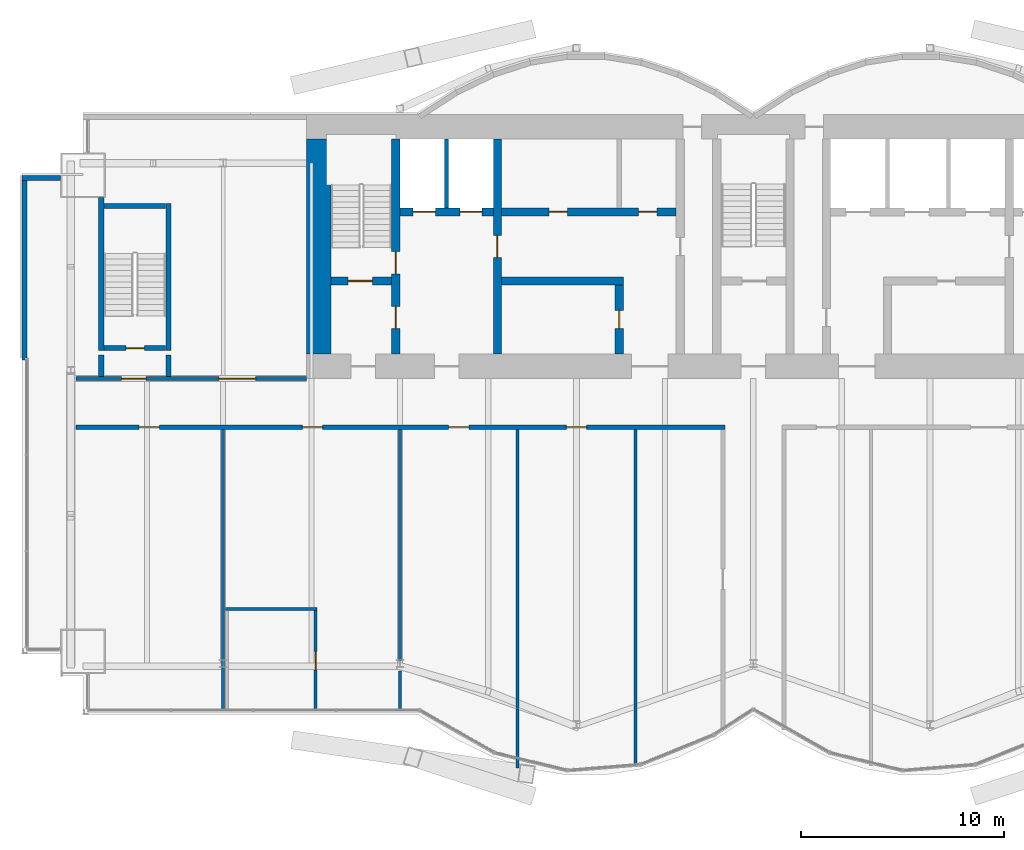
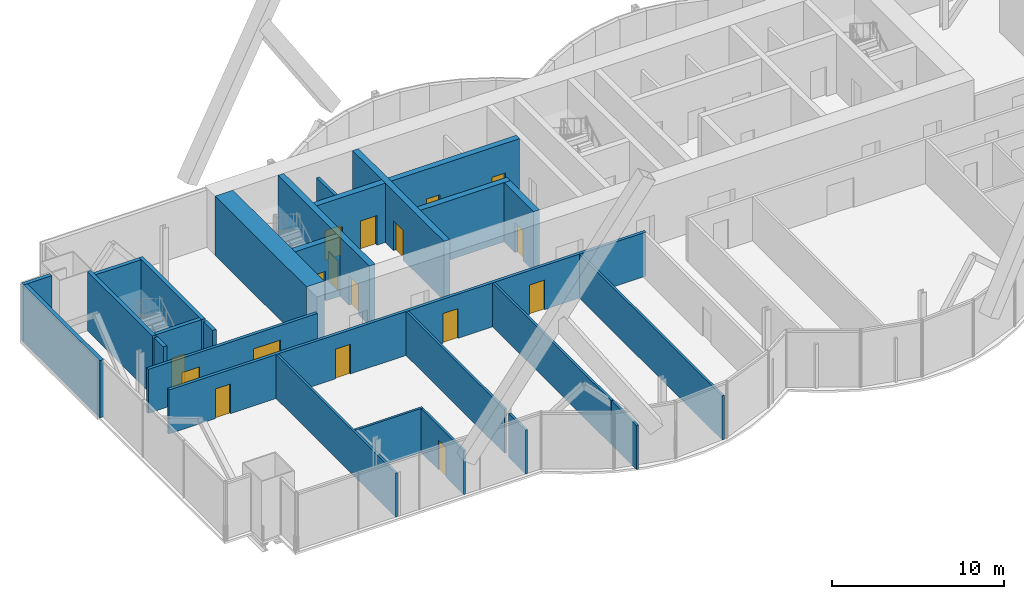
# One storey, part 16 of 22: 26 walls, 17 doors, 17 openings.
"""IFC4 building model written with IfcOpenShell, lengths in metres."""

from ifc_helpers import new_model, si_unit, direction, frame, frame_2d, origin, place, context, subcontext, project, spatial, rectangle, extrude, material, layer, layer_set, layer_usage, type_object, element, fill, save


model = new_model("IFC4")

# Units and contexts
model_context = context("Model", 3, precision=1e-05, world=origin(), true_north=direction((0.0, 1.0)))
body_context = subcontext(model_context, "Body", "Model", "MODEL_VIEW")
ifc_project = project(units=[si_unit("LENGTHUNIT", "METRE"), si_unit("AREAUNIT", "SQUARE_METRE"), si_unit("VOLUMEUNIT", "CUBIC_METRE"), si_unit("PLANEANGLEUNIT", "RADIAN"), si_unit("MASSUNIT", "GRAM", prefix="KILO")], contexts=[model_context])

# Site, building, storey
site_placement = place(None, origin())
site = spatial("IfcSite", under=ifc_project, at=site_placement, CompositionType="ELEMENT")
building_placement = place(site_placement, origin())
building = spatial("IfcBuilding", under=site, at=building_placement, Name="Bicima Exchange Tower", CompositionType="ELEMENT")
storey_placement = place(building_placement, frame((0.0, 0.0, 254.0)))
storey = spatial("IfcBuildingStorey", under=building, at=storey_placement, Name="L57", CompositionType="ELEMENT", Elevation=254.0)

# Wall
ifc_material_1 = material(Name="Gypsum board partition")
ifc_layer_1 = layer(ifc_material_1, 0.199951171875)
ifc_layer_set_1 = layer_set([ifc_layer_1], Name="Gypsum board partition")
wall_type_1 = type_object("IfcWallType", Name="Fire-rated gypsum partition 200 EI120", PredefinedType="PARTITIONING", material=ifc_layer_set_1)
wall_1_placement = place(storey_placement, frame((-15.10009765625, -4.60009765625, 0.0), z_axis=(0.0, 0.0, 1.0), x_axis=(0.0, 1.0, 0.0)))
element("IfcWall", 1, at=wall_1_placement, inside=storey, type_object=wall_type_1, Name="partition wall 9", PredefinedType="PARTITIONING", context=body_context, shape_type="SweptSolid", body=[
    extrude(rectangle(XDim=3.400146484375, YDim=0.199951171875, at=frame_2d((1.7001953125, 0.0))), origin(), (0.0, 0.0, 1.0), 3.1181640625),
])

# Wall, openings, doors
ifc_layer_2 = layer(ifc_material_1, 0.199951171875)
ifc_layer_set_2 = layer_set([ifc_layer_2], Name="Gypsum board partition")
wall_type_2 = type_object("IfcWallType", Name="Fire-rated gypsum partition 200 EI60", PredefinedType="PARTITIONING", material=ifc_layer_set_2)
wall_2_placement = place(storey_placement, frame((-33.340087890625, -15.39990234375, 0.0), z_axis=(0.0, 0.0, 1.0), x_axis=(1.0, 0.0, 0.0)))
wall_2 = element("IfcWall", 2, at=wall_2_placement, inside=storey, type_object=wall_type_2, Name="partition wall 4", PredefinedType="PARTITIONING", context=body_context, shape_type="SweptSolid", body=[
    extrude(rectangle(XDim=31.940185546875, YDim=0.199951171875, at=frame_2d((15.97021484375, 0.0))), origin(), (0.0, 0.0, 1.0), 3.1181640625),
])
opening_1_placement = place(wall_2_placement, frame((3.10009765625, 0.0, 0.0)))
opening_1 = element("IfcOpeningElement", 3, at=opening_1_placement, cuts=wall_2, Name="Opening L57-007", PredefinedType="OPENING", context=body_context, shape_type="SweptSolid", body=[
    extrude(rectangle(XDim=1.0, YDim=2.10009765625, at=frame_2d((0.5, 1.050048828125))), frame((0.0, 0.11181640625, 0.0), z_axis=(0.0, -1.0, 0.0), x_axis=(1.0, 0.0, 0.0)), (0.0, 0.0, 1.0), 0.223876953125),
])
opening_2_placement = place(wall_2_placement, frame((11.139892578125, 0.0, 0.0)))
opening_2 = element("IfcOpeningElement", 4, at=opening_2_placement, cuts=wall_2, Name="Opening L57-008", PredefinedType="OPENING", context=body_context, shape_type="SweptSolid", body=[
    extrude(rectangle(XDim=1.0, YDim=2.10009765625, at=frame_2d((0.5, 1.050048828125))), frame((0.0, 0.11181640625, 0.0), z_axis=(0.0, -1.0, 0.0), x_axis=(1.0, 0.0, 0.0)), (0.0, 0.0, 1.0), 0.223876953125),
])
opening_3_placement = place(wall_2_placement, frame((18.340087890625, 0.0, 0.0)))
opening_3 = element("IfcOpeningElement", 5, at=opening_3_placement, cuts=wall_2, Name="Opening L57-009", PredefinedType="OPENING", context=body_context, shape_type="SweptSolid", body=[
    extrude(rectangle(XDim=1.0, YDim=2.10009765625, at=frame_2d((0.5, 1.050048828125))), frame((0.0, 0.11181640625, 0.0), z_axis=(0.0, -1.0, 0.0), x_axis=(1.0, 0.0, 0.0)), (0.0, 0.0, 1.0), 0.223876953125),
])
opening_4_placement = place(wall_2_placement, frame((24.139892578125, 0.0, 0.0)))
opening_4 = element("IfcOpeningElement", 6, at=opening_4_placement, cuts=wall_2, Name="Opening L57-010", PredefinedType="OPENING", context=body_context, shape_type="SweptSolid", body=[
    extrude(rectangle(XDim=1.0, YDim=2.10009765625, at=frame_2d((0.5, 1.050048828125))), frame((0.0, 0.11181640625, 0.0), z_axis=(0.0, -1.0, 0.0), x_axis=(1.0, 0.0, 0.0)), (0.0, 0.0, 1.0), 0.223876953125),
])
ifc_material_2 = material(Name="Steel fire door leaf", Category="steel")
door_type_1 = type_object("IfcDoorType", Name="Door 1000 swing FD30S", OperationType="SINGLE_SWING_LEFT", PredefinedType="DOOR", material=ifc_material_2)
door_1_placement = place(opening_1_placement, frame((1.0, 0.0, 0.0), z_axis=(0.0, 0.0, 1.0), x_axis=(-1.0, 0.0, 0.0)))
door_1 = element("IfcDoor", 7, at=door_1_placement, inside=storey, type_object=door_type_1, Name="Door", OperationType="SINGLE_SWING_LEFT", OverallHeight=2.10009765625, OverallWidth=1.0, PredefinedType="DOOR", context=body_context, shape_type="SweptSolid", body=[
    extrude(rectangle(XDim=1.0, YDim=2.10009765625, at=frame_2d((0.5, 1.050048828125))), frame((0.0, 0.02490234375, 0.0), z_axis=(0.0, -1.0, 0.0), x_axis=(1.0, 0.0, 0.0)), (0.0, 0.0, 1.0), 0.050048828125),
])
fill(opening_1, door_1)
door_2_placement = place(opening_2_placement, frame((1.0, 0.0, 0.0), z_axis=(0.0, 0.0, 1.0), x_axis=(-1.0, 0.0, 0.0)))
door_2 = element("IfcDoor", 8, at=door_2_placement, inside=storey, type_object=door_type_1, Name="Door", OperationType="SINGLE_SWING_RIGHT", OverallHeight=2.10009765625, OverallWidth=1.0, PredefinedType="DOOR", context=body_context, shape_type="SweptSolid", body=[
    extrude(rectangle(XDim=1.0, YDim=2.10009765625, at=frame_2d((0.5, 1.050048828125))), frame((0.0, 0.02490234375, 0.0), z_axis=(0.0, -1.0, 0.0), x_axis=(1.0, 0.0, 0.0)), (0.0, 0.0, 1.0), 0.050048828125),
])
fill(opening_2, door_2)
door_3_placement = place(opening_3_placement, frame((1.0, 0.0, 0.0), z_axis=(0.0, 0.0, 1.0), x_axis=(-1.0, 0.0, 0.0)))
door_3 = element("IfcDoor", 9, at=door_3_placement, inside=storey, type_object=door_type_1, Name="Door", OperationType="SINGLE_SWING_RIGHT", OverallHeight=2.10009765625, OverallWidth=1.0, PredefinedType="DOOR", context=body_context, shape_type="SweptSolid", body=[
    extrude(rectangle(XDim=1.0, YDim=2.10009765625, at=frame_2d((0.5, 1.050048828125))), frame((0.0, 0.02490234375, 0.0), z_axis=(0.0, -1.0, 0.0), x_axis=(1.0, 0.0, 0.0)), (0.0, 0.0, 1.0), 0.050048828125),
])
fill(opening_3, door_3)
door_4_placement = place(opening_4_placement, frame((1.0, 0.0, 0.0), z_axis=(0.0, 0.0, 1.0), x_axis=(-1.0, 0.0, 0.0)))
door_4 = element("IfcDoor", 10, at=door_4_placement, inside=storey, type_object=door_type_1, Name="Door", OperationType="SINGLE_SWING_LEFT", OverallHeight=2.10009765625, OverallWidth=1.0, PredefinedType="DOOR", context=body_context, shape_type="SweptSolid", body=[
    extrude(rectangle(XDim=1.0, YDim=2.10009765625, at=frame_2d((0.5, 1.050048828125))), frame((0.0, 0.02490234375, 0.0), z_axis=(0.0, -1.0, 0.0), x_axis=(1.0, 0.0, 0.0)), (0.0, 0.0, 1.0), 0.050048828125),
])
fill(opening_4, door_4)

wall_3_placement = place(storey_placement, frame((-33.340087890625, -13.0, 0.0), z_axis=(0.0, 0.0, 1.0), x_axis=(1.0, 0.0, 0.0)))
wall_3 = element("IfcWall", 11, at=wall_3_placement, inside=storey, type_object=wall_type_2, Name="partition wall 6", PredefinedType="PARTITIONING", context=body_context, shape_type="SweptSolid", body=[
    extrude(rectangle(XDim=11.340087890625, YDim=0.199951171875, at=frame_2d((5.669921875, 0.0))), origin(), (0.0, 0.0, 1.0), 3.1181640625),
])
opening_5_placement = place(wall_3_placement, frame((2.239990234375, 0.0, 0.0)))
opening_5 = element("IfcOpeningElement", 12, at=opening_5_placement, cuts=wall_3, Name="Opening L57-001", PredefinedType="OPENING", context=body_context, shape_type="SweptSolid", body=[
    extrude(rectangle(XDim=1.199951171875, YDim=2.10009765625, at=frame_2d((0.60009765625, 1.050048828125))), frame((0.0, 0.11181640625, 0.0), z_axis=(0.0, -1.0, 0.0), x_axis=(1.0, 0.0, 0.0)), (0.0, 0.0, 1.0), 0.223876953125),
])
opening_6_placement = place(wall_3_placement, frame((7.0400390625, 0.0, 0.0)))
opening_6 = element("IfcOpeningElement", 13, at=opening_6_placement, cuts=wall_3, Name="Opening L57-005", PredefinedType="OPENING", context=body_context, shape_type="SweptSolid", body=[
    extrude(rectangle(XDim=1.800048828125, YDim=2.10009765625, at=frame_2d((0.89990234375, 1.050048828125))), frame((0.0, 0.11181640625, 0.0), z_axis=(0.0, -1.0, 0.0), x_axis=(1.0, 0.0, 0.0)), (0.0, 0.0, 1.0), 0.223876953125),
])
door_type_2 = type_object("IfcDoorType", Name="Door 1200 swing FD30S", OperationType="SINGLE_SWING_LEFT", PredefinedType="DOOR", material=ifc_material_2)
door_5_placement = place(opening_5_placement, origin())
door_5 = element("IfcDoor", 14, at=door_5_placement, inside=storey, type_object=door_type_2, Name="Door", OperationType="SINGLE_SWING_LEFT", OverallHeight=2.10009765625, OverallWidth=1.199951171875, PredefinedType="DOOR", context=body_context, shape_type="SweptSolid", body=[
    extrude(rectangle(XDim=1.199951171875, YDim=2.10009765625, at=frame_2d((0.60009765625, 1.050048828125))), frame((0.0, 0.02490234375, 0.0), z_axis=(0.0, -1.0, 0.0), x_axis=(1.0, 0.0, 0.0)), (0.0, 0.0, 1.0), 0.050048828125),
])
fill(opening_5, door_5)
door_type_3 = type_object("IfcDoorType", Name="Door 1800 double swing FD30S", OperationType="DOUBLE_DOOR_SINGLE_SWING", PredefinedType="DOOR", material=ifc_material_2)
door_6_placement = place(opening_6_placement, origin())
door_6 = element("IfcDoor", 15, at=door_6_placement, inside=storey, type_object=door_type_3, Name="Door", OperationType="SINGLE_SWING_LEFT", OverallHeight=2.10009765625, OverallWidth=1.800048828125, PredefinedType="DOOR", context=body_context, shape_type="SweptSolid", body=[
    extrude(rectangle(XDim=1.800048828125, YDim=2.10009765625, at=frame_2d((0.89990234375, 1.050048828125))), frame((0.0, 0.02490234375, 0.0), z_axis=(0.0, -1.0, 0.0), x_axis=(1.0, 0.0, 0.0)), (0.0, 0.0, 1.0), 0.050048828125),
])
fill(opening_6, door_6)

# Walls
ifc_layer_3 = layer(ifc_material_1, 0.14990234375)
ifc_layer_set_3 = layer_set([ifc_layer_3], Name="Gypsum board partition")
wall_type_3 = type_object("IfcWallType", Name="Gypsum partition 150", PredefinedType="PARTITIONING", material=ifc_layer_set_3)
wall_4_placement = place(storey_placement, frame((-25.97509765625, -24.35009765625, 0.0), z_axis=(0.0, 0.0, 1.0), x_axis=(1.0, 0.0, 0.0)))
element("IfcWall", 16, at=wall_4_placement, inside=storey, type_object=wall_type_3, Name="partition wall 1", PredefinedType="PARTITIONING", context=body_context, shape_type="SweptSolid", body=[
    extrude(rectangle(XDim=4.5, YDim=0.14990234375, at=frame_2d((2.25, 0.0))), origin(), (0.0, 0.0, 1.0), 3.1181640625),
])
wall_5_placement = place(storey_placement, frame((-26.10009765625, -29.35009765625, 0.0), z_axis=(0.0, 0.0, 1.0), x_axis=(0.0, 1.0, 0.0)))
element("IfcWall", 17, at=wall_5_placement, inside=storey, type_object=wall_type_3, Name="partition wall 14", PredefinedType="PARTITIONING", context=body_context, shape_type="SweptSolid", body=[
    extrude(rectangle(XDim=13.85009765625, YDim=0.14990234375, at=frame_2d((6.925048828125, 0.0))), origin(), (0.0, 0.0, 1.0), 3.1181640625),
])

# Wall, opening, door
wall_6_placement = place(storey_placement, frame((-21.550048828125, -29.35009765625, 0.0), z_axis=(0.0, 0.0, 1.0), x_axis=(0.0, 1.0, 0.0)))
wall_6 = element("IfcWall", 18, at=wall_6_placement, inside=storey, type_object=wall_type_3, Name="partition wall 16", PredefinedType="PARTITIONING", context=body_context, shape_type="SweptSolid", body=[
    extrude(rectangle(XDim=4.925048828125, YDim=0.14990234375, at=frame_2d((2.46240234375, 0.0))), origin(), (0.0, 0.0, 1.0), 3.1181640625),
])
opening_7_placement = place(wall_6_placement, frame((2.0, 0.0, 0.0)))
opening_7 = element("IfcOpeningElement", 19, at=opening_7_placement, cuts=wall_6, Name="Opening L57-019", PredefinedType="OPENING", context=body_context, shape_type="SweptSolid", body=[
    extrude(rectangle(XDim=0.89990234375, YDim=2.10009765625, at=frame_2d((0.449951171875, 1.050048828125))), frame((0.0, 0.0869140625, 0.0), z_axis=(0.0, -1.0, 0.0), x_axis=(1.0, 0.0, 0.0)), (0.0, 0.0, 1.0), 0.173828125),
])
ifc_material_3 = material(Name="Timber door leaf", Category="wood")
door_type_4 = type_object("IfcDoorType", Name="Door 900 swing", OperationType="SINGLE_SWING_LEFT", PredefinedType="DOOR", material=ifc_material_3)
door_7_placement = place(opening_7_placement, origin())
door_7 = element("IfcDoor", 20, at=door_7_placement, inside=storey, type_object=door_type_4, Name="Door", OperationType="SINGLE_SWING_LEFT", OverallHeight=2.10009765625, OverallWidth=0.89990234375, PredefinedType="DOOR", context=body_context, shape_type="SweptSolid", body=[
    extrude(rectangle(XDim=0.89990234375, YDim=2.10009765625, at=frame_2d((0.449951171875, 1.050048828125))), frame((0.0, 0.02490234375, 0.0), z_axis=(0.0, -1.0, 0.0), x_axis=(1.0, 0.0, 0.0)), (0.0, 0.0, 1.0), 0.050048828125),
])
fill(opening_7, door_7)

# Walls
wall_7_placement = place(storey_placement, frame((-17.39990234375, -29.35009765625, 0.0), z_axis=(0.0, 0.0, 1.0), x_axis=(0.0, 1.0, 0.0)))
element("IfcWall", 21, at=wall_7_placement, inside=storey, type_object=wall_type_3, Name="partition wall 17", PredefinedType="PARTITIONING", context=body_context, shape_type="SweptSolid", body=[
    extrude(rectangle(XDim=1.956787109375, YDim=0.14990234375, at=frame_2d((0.978515625, 0.0))), origin(), (0.0, 0.0, 1.0), 3.1181640625),
])
wall_8_placement = place(storey_placement, frame((-17.39990234375, -26.918701171875, 0.0), z_axis=(0.0, 0.0, 1.0), x_axis=(0.0, 1.0, 0.0)))
element("IfcWall", 22, at=wall_8_placement, inside=storey, type_object=wall_type_3, Name="partition wall 18", PredefinedType="PARTITIONING", context=body_context, shape_type="SweptSolid", body=[
    extrude(rectangle(XDim=11.418701171875, YDim=0.14990234375, at=frame_2d((5.70947265625, 0.0))), origin(), (0.0, 0.0, 1.0), 3.1181640625),
])
wall_9_placement = place(storey_placement, frame((-11.60009765625, -32.171875, 0.0), z_axis=(0.0, 0.0, 1.0), x_axis=(0.0, 1.0, 0.0)))
element("IfcWall", 23, at=wall_9_placement, inside=storey, type_object=wall_type_3, Name="partition wall 19", PredefinedType="PARTITIONING", context=body_context, shape_type="SweptSolid", body=[
    extrude(rectangle(XDim=2.90185546875, YDim=0.14990234375, at=frame_2d((1.450927734375, 0.0))), origin(), (0.0, 0.0, 1.0), 3.1181640625),
])
wall_10_placement = place(storey_placement, frame((-11.60009765625, -29.2431640625, 0.0), z_axis=(0.0, 0.0, 1.0), x_axis=(0.0, 1.0, 0.0)))
element("IfcWall", 24, at=wall_10_placement, inside=storey, type_object=wall_type_3, Name="partition wall 20", PredefinedType="PARTITIONING", context=body_context, shape_type="SweptSolid", body=[
    extrude(rectangle(XDim=13.7431640625, YDim=0.14990234375, at=frame_2d((6.87158203125, 0.0))), origin(), (0.0, 0.0, 1.0), 3.1181640625),
])
wall_11_placement = place(storey_placement, frame((-5.800048828125, -32.06005859375, 0.0), z_axis=(0.0, 0.0, 1.0), x_axis=(0.0, 1.0, 0.0)))
element("IfcWall", 25, at=wall_11_placement, inside=storey, type_object=wall_type_3, Name="partition wall 21", PredefinedType="PARTITIONING", context=body_context, shape_type="SweptSolid", body=[
    extrude(rectangle(XDim=16.56005859375, YDim=0.14990234375, at=frame_2d((8.280029296875, 0.0))), origin(), (0.0, 0.0, 1.0), 3.1181640625),
])
ifc_material_4 = material(Name="Concrete C40/50", Category="concrete")
ifc_layer_4 = layer(ifc_material_4, 1.199951171875)
ifc_layer_set_4 = layer_set([ifc_layer_4], Name="Concrete C40/50")
wall_type_4 = type_object("IfcWallType", Name="RC core wall 1200 C40/50", PredefinedType="SHEAR", material=ifc_layer_set_4)
wall_12_placement = place(storey_placement, frame((-21.39990234375, -11.800048828125, 0.0), z_axis=(0.0, 0.0, 1.0), x_axis=(0.0, 1.0, 0.0)))
element("IfcWall", 26, at=wall_12_placement, inside=storey, type_object=wall_type_4, Name="Core wall west", PredefinedType="SHEAR", context=body_context, shape_type="SweptSolid", body=[
    extrude(rectangle(XDim=10.60009765625, YDim=1.199951171875, at=frame_2d((5.300048828125, 0.0))), origin(), (0.0, 0.0, 1.0), 4.199951171875),
])
ifc_material_5 = material(Name="Concrete C50/60", Category="concrete")
ifc_layer_5 = layer(ifc_material_5, 0.25)
ifc_layer_set_5 = layer_set([ifc_layer_5], Name="Concrete C50/60")
wall_type_5 = type_object("IfcWallType", Name="RC core wall 250 C50/60", PredefinedType="SHEAR", material=ifc_layer_set_5)
for number, where, z_axis, x_axis, name in (
    (27, (-32.10009765625, -12.89990234375, 0.0), (0.0, 0.0, 1.0), (0.0, 1.0, 0.0), "stair wall 12"),
    (28, (-28.800048828125, -12.89990234375, 0.0), (0.0, 0.0, 1.0), (0.0, 1.0, 0.0), "stair wall 13"),
):
    element("IfcWall", number, at=place(storey_placement, frame(where, z_axis=z_axis, x_axis=x_axis)), inside=storey, type_object=wall_type_5, Name=name, PredefinedType="SHEAR", context=body_context, shape_type="SweptSolid", body=[
        extrude(rectangle(XDim=1.0498046875, YDim=0.25, at=frame_2d((0.52490234375, 0.0))), origin(), (0.0, 0.0, 1.0), 4.199951171875),
    ])
ifc_layer_6 = layer(ifc_material_4, 0.39990234375)
ifc_layer_set_6 = layer_set([ifc_layer_6], Name="Concrete C40/50")
wall_type_6 = type_object("IfcWallType", Name="RC core wall 400 C40/50", PredefinedType="SHEAR", material=ifc_layer_set_6)
wall_13_placement = place(storey_placement, frame((-12.39990234375, -8.199951171875, 0.0), z_axis=(0.0, 0.0, 1.0), x_axis=(1.0, 0.0, 0.0)))
element("IfcWall", 29, at=wall_13_placement, inside=storey, type_object=wall_type_6, Name="shear wall 2", PredefinedType="SHEAR", context=body_context, shape_type="SweptSolid", body=[
    extrude(rectangle(XDim=6.0, YDim=0.39990234375, at=frame_2d((3.0, 0.0))), origin(), (0.0, 0.0, 1.0), 4.199951171875),
])

# Wall, openings, doors
wall_14_placement = place(storey_placement, frame((-17.39990234375, -4.800048828125, 0.0), z_axis=(0.0, 0.0, 1.0), x_axis=(1.0, 0.0, 0.0)))
wall_14 = element("IfcWall", 30, at=wall_14_placement, inside=storey, type_object=wall_type_6, Name="shear wall 6", PredefinedType="SHEAR", context=body_context, shape_type="SweptSolid", body=[
    extrude(rectangle(XDim=13.599853515625, YDim=0.39990234375, at=frame_2d((6.7998046875, 0.0))), origin(), (0.0, 0.0, 1.0), 4.199951171875),
])
opening_8_placement = place(wall_14_placement, frame((0.64990234375, 0.0, 0.0)))
opening_8 = element("IfcOpeningElement", 31, at=opening_8_placement, cuts=wall_14, Name="Opening LD-FF1-L57", PredefinedType="OPENING", context=body_context, shape_type="SweptSolid", body=[
    extrude(rectangle(XDim=1.10009765625, YDim=2.10009765625, at=frame_2d((0.550048828125, 1.050048828125))), frame((0.0, 0.2119140625, 0.0), z_axis=(0.0, -1.0, 0.0), x_axis=(1.0, 0.0, 0.0)), (0.0, 0.0, 1.0), 0.423828125),
])
opening_9_placement = place(wall_14_placement, frame((2.949951171875, 0.0, 0.0)))
opening_9 = element("IfcOpeningElement", 32, at=opening_9_placement, cuts=wall_14, Name="Opening LD-FF3-L57", PredefinedType="OPENING", context=body_context, shape_type="SweptSolid", body=[
    extrude(rectangle(XDim=1.10009765625, YDim=2.10009765625, at=frame_2d((0.550048828125, 1.050048828125))), frame((0.0, 0.2119140625, 0.0), z_axis=(0.0, -1.0, 0.0), x_axis=(1.0, 0.0, 0.0)), (0.0, 0.0, 1.0), 0.423828125),
])
opening_10_placement = place(wall_14_placement, frame((7.35009765625, 0.0, 0.0)))
opening_10 = element("IfcOpeningElement", 33, at=opening_10_placement, cuts=wall_14, Name="Opening L57-C12", PredefinedType="OPENING", context=body_context, shape_type="SweptSolid", body=[
    extrude(rectangle(XDim=0.89990234375, YDim=2.10009765625, at=frame_2d((0.449951171875, 1.050048828125))), frame((0.0, 0.2119140625, 0.0), z_axis=(0.0, -1.0, 0.0), x_axis=(1.0, 0.0, 0.0)), (0.0, 0.0, 1.0), 0.423828125),
])
opening_11_placement = place(wall_14_placement, frame((11.75, 0.0, 0.0)))
opening_11 = element("IfcOpeningElement", 34, at=opening_11_placement, cuts=wall_14, Name="Opening L57-C13", PredefinedType="OPENING", context=body_context, shape_type="SweptSolid", body=[
    extrude(rectangle(XDim=0.89990234375, YDim=2.10009765625, at=frame_2d((0.449951171875, 1.050048828125))), frame((0.0, 0.2119140625, 0.0), z_axis=(0.0, -1.0, 0.0), x_axis=(1.0, 0.0, 0.0)), (0.0, 0.0, 1.0), 0.423828125),
])
door_type_5 = type_object("IfcDoorType", Name="Door 900 swing FD30S", OperationType="SINGLE_SWING_LEFT", PredefinedType="DOOR", material=ifc_material_2)
door_8_placement = place(opening_10_placement, origin())
door_8 = element("IfcDoor", 35, at=door_8_placement, inside=storey, type_object=door_type_5, Name="Core door", OperationType="SINGLE_SWING_RIGHT", OverallHeight=2.10009765625, OverallWidth=0.89990234375, PredefinedType="DOOR", context=body_context, shape_type="SweptSolid", body=[
    extrude(rectangle(XDim=0.89990234375, YDim=2.10009765625, at=frame_2d((0.449951171875, 1.050048828125))), frame((0.0, 0.02490234375, 0.0), z_axis=(0.0, -1.0, 0.0), x_axis=(1.0, 0.0, 0.0)), (0.0, 0.0, 1.0), 0.050048828125),
])
fill(opening_10, door_8)
door_9_placement = place(opening_11_placement, origin())
door_9 = element("IfcDoor", 36, at=door_9_placement, inside=storey, type_object=door_type_5, Name="Core door", OperationType="SINGLE_SWING_LEFT", OverallHeight=2.10009765625, OverallWidth=0.89990234375, PredefinedType="DOOR", context=body_context, shape_type="SweptSolid", body=[
    extrude(rectangle(XDim=0.89990234375, YDim=2.10009765625, at=frame_2d((0.449951171875, 1.050048828125))), frame((0.0, 0.02490234375, 0.0), z_axis=(0.0, -1.0, 0.0), x_axis=(1.0, 0.0, 0.0)), (0.0, 0.0, 1.0), 0.050048828125),
])
fill(opening_11, door_9)
ifc_material_6 = material(Name="Stainless steel", Category="steel")
door_type_6 = type_object("IfcDoorType", Name="Lift landing door 1100 sliding", OperationType="DOUBLE_DOOR_SLIDING", PredefinedType="DOOR", material=ifc_material_6)
door_10_placement = place(opening_8_placement, origin())
door_10 = element("IfcDoor", 37, at=door_10_placement, inside=storey, type_object=door_type_6, Name="Lift landing door FF1", OperationType="DOUBLE_DOOR_SLIDING", OverallHeight=2.10009765625, OverallWidth=1.10009765625, PredefinedType="DOOR", context=body_context, shape_type="SweptSolid", body=[
    extrude(rectangle(XDim=1.10009765625, YDim=2.10009765625, at=frame_2d((0.550048828125, 1.050048828125))), frame((0.0, 0.02490234375, 0.0), z_axis=(0.0, -1.0, 0.0), x_axis=(1.0, 0.0, 0.0)), (0.0, 0.0, 1.0), 0.050048828125),
])
fill(opening_8, door_10)
door_11_placement = place(opening_9_placement, origin())
door_11 = element("IfcDoor", 38, at=door_11_placement, inside=storey, type_object=door_type_6, Name="Lift landing door FF3", OperationType="DOUBLE_DOOR_SLIDING", OverallHeight=2.10009765625, OverallWidth=1.10009765625, PredefinedType="DOOR", context=body_context, shape_type="SweptSolid", body=[
    extrude(rectangle(XDim=1.10009765625, YDim=2.10009765625, at=frame_2d((0.550048828125, 1.050048828125))), frame((0.0, 0.02490234375, 0.0), z_axis=(0.0, -1.0, 0.0), x_axis=(1.0, 0.0, 0.0)), (0.0, 0.0, 1.0), 0.050048828125),
])
fill(opening_9, door_11)

# Wall, opening, door
wall_15_placement = place(storey_placement, frame((-12.60009765625, -11.800048828125, 0.0), z_axis=(0.0, 0.0, 1.0), x_axis=(0.0, 1.0, 0.0)))
wall_15 = element("IfcWall", 39, at=wall_15_placement, inside=storey, type_object=wall_type_6, Name="shear wall 10", PredefinedType="SHEAR", context=body_context, shape_type="SweptSolid", body=[
    extrude(rectangle(XDim=10.60009765625, YDim=0.39990234375, at=frame_2d((5.300048828125, 0.0))), origin(), (0.0, 0.0, 1.0), 4.199951171875),
])
opening_12_placement = place(wall_15_placement, frame((4.75, 0.0, 0.0)))
opening_12 = element("IfcOpeningElement", 40, at=opening_12_placement, cuts=wall_15, Name="Opening L57-C07", PredefinedType="OPENING", context=body_context, shape_type="SweptSolid", body=[
    extrude(rectangle(XDim=1.10009765625, YDim=2.10009765625, at=frame_2d((0.550048828125, 1.050048828125))), frame((0.0, 0.2119140625, 0.0), z_axis=(0.0, -1.0, 0.0), x_axis=(1.0, 0.0, 0.0)), (0.0, 0.0, 1.0), 0.423828125),
])
door_type_7 = type_object("IfcDoorType", Name="Door 1100 swing FD60S", OperationType="SINGLE_SWING_LEFT", PredefinedType="DOOR", material=ifc_material_2)
door_12_placement = place(opening_12_placement, origin())
door_12 = element("IfcDoor", 41, at=door_12_placement, inside=storey, type_object=door_type_7, Name="Core door", OperationType="SINGLE_SWING_LEFT", OverallHeight=2.10009765625, OverallWidth=1.10009765625, PredefinedType="DOOR", context=body_context, shape_type="SweptSolid", body=[
    extrude(rectangle(XDim=1.10009765625, YDim=2.10009765625, at=frame_2d((0.550048828125, 1.050048828125))), frame((0.0, 0.02490234375, 0.0), z_axis=(0.0, -1.0, 0.0), x_axis=(1.0, 0.0, 0.0)), (0.0, 0.0, 1.0), 0.050048828125),
])
fill(opening_12, door_12)

wall_16_placement = place(storey_placement, frame((-6.60009765625, -11.800048828125, 0.0), z_axis=(0.0, 0.0, 1.0), x_axis=(0.0, 1.0, 0.0)))
wall_16 = element("IfcWall", 42, at=wall_16_placement, inside=storey, type_object=wall_type_6, Name="shear wall 11", PredefinedType="SHEAR", context=body_context, shape_type="SweptSolid", body=[
    extrude(rectangle(XDim=3.400146484375, YDim=0.39990234375, at=frame_2d((1.7001953125, 0.0))), origin(), (0.0, 0.0, 1.0), 4.199951171875),
])
opening_13_placement = place(wall_16_placement, frame((1.25, 0.0, 0.0)))
opening_13 = element("IfcOpeningElement", 43, at=opening_13_placement, cuts=wall_16, Name="Opening L57-C14", PredefinedType="OPENING", context=body_context, shape_type="SweptSolid", body=[
    extrude(rectangle(XDim=0.89990234375, YDim=2.10009765625, at=frame_2d((0.449951171875, 1.050048828125))), frame((0.0, 0.2119140625, 0.0), z_axis=(0.0, -1.0, 0.0), x_axis=(1.0, 0.0, 0.0)), (0.0, 0.0, 1.0), 0.423828125),
])
door_13_placement = place(opening_13_placement, origin())
door_13 = element("IfcDoor", 44, at=door_13_placement, inside=storey, type_object=door_type_5, Name="Core door", OperationType="SINGLE_SWING_RIGHT", OverallHeight=2.10009765625, OverallWidth=0.89990234375, PredefinedType="DOOR", context=body_context, shape_type="SweptSolid", body=[
    extrude(rectangle(XDim=0.89990234375, YDim=2.10009765625, at=frame_2d((0.449951171875, 1.050048828125))), frame((0.0, 0.02490234375, 0.0), z_axis=(0.0, -1.0, 0.0), x_axis=(1.0, 0.0, 0.0)), (0.0, 0.0, 1.0), 0.050048828125),
])
fill(opening_13, door_13)

ifc_layer_7 = layer(ifc_material_5, 0.39990234375)
ifc_layer_set_7 = layer_set([ifc_layer_7], Name="Concrete C50/60")
wall_type_7 = type_object("IfcWallType", Name="RC core wall 400 C50/60", PredefinedType="SHEAR", material=ifc_layer_set_7)
wall_17_placement = place(storey_placement, frame((-20.800048828125, -8.199951171875, 0.0), z_axis=(0.0, 0.0, 1.0), x_axis=(1.0, 0.0, 0.0)))
wall_17 = element("IfcWall", 45, at=wall_17_placement, inside=storey, type_object=wall_type_7, Name="stair wall 1", PredefinedType="SHEAR", context=body_context, shape_type="SweptSolid", body=[
    extrude(rectangle(XDim=3.0, YDim=0.39990234375, at=frame_2d((1.5, 0.0))), origin(), (0.0, 0.0, 1.0), 4.199951171875),
])
opening_14_placement = place(wall_17_placement, frame((0.85009765625, 0.0, 0.0)))
opening_14 = element("IfcOpeningElement", 46, at=opening_14_placement, cuts=wall_17, Name="Opening L57-C01", PredefinedType="OPENING", context=body_context, shape_type="SweptSolid", body=[
    extrude(rectangle(XDim=1.199951171875, YDim=2.10009765625, at=frame_2d((0.60009765625, 1.050048828125))), frame((0.0, 0.2119140625, 0.0), z_axis=(0.0, -1.0, 0.0), x_axis=(1.0, 0.0, 0.0)), (0.0, 0.0, 1.0), 0.423828125),
])
door_type_8 = type_object("IfcDoorType", Name="Door 1200 swing FD60S", OperationType="SINGLE_SWING_LEFT", PredefinedType="DOOR", material=ifc_material_2)
door_14_placement = place(opening_14_placement, origin())
door_14 = element("IfcDoor", 47, at=door_14_placement, inside=storey, type_object=door_type_8, Name="Core door", OperationType="SINGLE_SWING_LEFT", OverallHeight=2.10009765625, OverallWidth=1.199951171875, PredefinedType="DOOR", context=body_context, shape_type="SweptSolid", body=[
    extrude(rectangle(XDim=1.199951171875, YDim=2.10009765625, at=frame_2d((0.60009765625, 1.050048828125))), frame((0.0, 0.02490234375, 0.0), z_axis=(0.0, -1.0, 0.0), x_axis=(1.0, 0.0, 0.0)), (0.0, 0.0, 1.0), 0.050048828125),
])
fill(opening_14, door_14)

# Wall, openings, doors
wall_18_placement = place(storey_placement, frame((-17.60009765625, -11.800048828125, 0.0), z_axis=(0.0, 0.0, 1.0), x_axis=(0.0, 1.0, 0.0)))
wall_18 = element("IfcWall", 48, at=wall_18_placement, inside=storey, type_object=wall_type_7, Name="stair wall 8", PredefinedType="SHEAR", context=body_context, shape_type="SweptSolid", body=[
    extrude(rectangle(XDim=10.60009765625, YDim=0.39990234375, at=frame_2d((5.300048828125, 0.0))), origin(), (0.0, 0.0, 1.0), 4.199951171875),
])
opening_15_placement = place(wall_18_placement, frame((1.25, 0.0, 0.0)))
opening_15 = element("IfcOpeningElement", 49, at=opening_15_placement, cuts=wall_18, Name="Opening L57-C02", PredefinedType="OPENING", context=body_context, shape_type="SweptSolid", body=[
    extrude(rectangle(XDim=1.10009765625, YDim=2.10009765625, at=frame_2d((0.550048828125, 1.050048828125))), frame((0.0, 0.2119140625, 0.0), z_axis=(0.0, -1.0, 0.0), x_axis=(1.0, 0.0, 0.0)), (0.0, 0.0, 1.0), 0.423828125),
])
opening_16_placement = place(wall_18_placement, frame((3.949951171875, 0.0, 0.0)))
opening_16 = element("IfcOpeningElement", 50, at=opening_16_placement, cuts=wall_18, Name="Opening L57-C06", PredefinedType="OPENING", context=body_context, shape_type="SweptSolid", body=[
    extrude(rectangle(XDim=1.10009765625, YDim=2.10009765625, at=frame_2d((0.550048828125, 1.050048828125))), frame((0.0, 0.2119140625, 0.0), z_axis=(0.0, -1.0, 0.0), x_axis=(1.0, 0.0, 0.0)), (0.0, 0.0, 1.0), 0.423828125),
])
door_15_placement = place(opening_15_placement, frame((1.10009765625, 0.0, 0.0), z_axis=(0.0, 0.0, 1.0), x_axis=(-1.0, 0.0, 0.0)))
door_15 = element("IfcDoor", 51, at=door_15_placement, inside=storey, type_object=door_type_7, Name="Core door", OperationType="SINGLE_SWING_LEFT", OverallHeight=2.10009765625, OverallWidth=1.10009765625, PredefinedType="DOOR", context=body_context, shape_type="SweptSolid", body=[
    extrude(rectangle(XDim=1.10009765625, YDim=2.10009765625, at=frame_2d((0.550048828125, 1.050048828125))), frame((0.0, 0.02490234375, 0.0), z_axis=(0.0, -1.0, 0.0), x_axis=(1.0, 0.0, 0.0)), (0.0, 0.0, 1.0), 0.050048828125),
])
fill(opening_15, door_15)
door_16_placement = place(opening_16_placement, frame((1.10009765625, 0.0, 0.0), z_axis=(0.0, 0.0, 1.0), x_axis=(-1.0, 0.0, 0.0)))
door_16 = element("IfcDoor", 52, at=door_16_placement, inside=storey, type_object=door_type_7, Name="Core door", OperationType="SINGLE_SWING_LEFT", OverallHeight=2.10009765625, OverallWidth=1.10009765625, PredefinedType="DOOR", context=body_context, shape_type="SweptSolid", body=[
    extrude(rectangle(XDim=1.10009765625, YDim=2.10009765625, at=frame_2d((0.550048828125, 1.050048828125))), frame((0.0, 0.02490234375, 0.0), z_axis=(0.0, -1.0, 0.0), x_axis=(1.0, 0.0, 0.0)), (0.0, 0.0, 1.0), 0.050048828125),
])
fill(opening_16, door_16)

# Walls
ifc_layer_8 = layer(ifc_material_5, 0.25)
ifc_layer_set_8 = layer_set([ifc_layer_8], Name="Concrete C50/60")
wall_type_8 = type_object("IfcWallType", Name="RC stair enclosure wall 250 C50/60", PredefinedType="SHEAR", material=ifc_layer_set_8)
wall_19_placement = place(storey_placement, frame((-32.10009765625, -11.625, 0.0), z_axis=(0.0, 0.0, 1.0), x_axis=(0.0, 1.0, 0.0)))
element("IfcWall", 53, at=wall_19_placement, inside=storey, type_object=wall_type_8, Name="West end exit stair wall W", PredefinedType="SHEAR", context=body_context, shape_type="SweptSolid", body=[
    extrude(rectangle(XDim=7.52490234375, YDim=0.25, at=frame_2d((3.762451171875, 0.0))), origin(), (0.0, 0.0, 1.0), 4.199951171875),
])
wall_20_placement = place(storey_placement, frame((-28.800048828125, -11.625, 0.0), z_axis=(0.0, 0.0, 1.0), x_axis=(0.0, 1.0, 0.0)))
element("IfcWall", 54, at=wall_20_placement, inside=storey, type_object=wall_type_8, Name="West end exit stair wall E", PredefinedType="SHEAR", context=body_context, shape_type="SweptSolid", body=[
    extrude(rectangle(XDim=7.25, YDim=0.25, at=frame_2d((3.625, 0.0))), origin(), (0.0, 0.0, 1.0), 4.199951171875),
])

# Wall, opening, door
wall_21_placement = place(storey_placement, frame((-31.97509765625, -11.5, 0.0), z_axis=(0.0, 0.0, 1.0), x_axis=(1.0, 0.0, 0.0)))
wall_21 = element("IfcWall", 55, at=wall_21_placement, inside=storey, type_object=wall_type_8, Name="West end exit stair wall S", PredefinedType="SHEAR", context=body_context, shape_type="SweptSolid", body=[
    extrude(rectangle(XDim=3.050048828125, YDim=0.25, at=frame_2d((1.52490234375, 0.0))), origin(), (0.0, 0.0, 1.0), 4.199951171875),
])
opening_17_placement = place(wall_21_placement, frame((1.10009765625, 0.0, 0.0)))
opening_17 = element("IfcOpeningElement", 56, at=opening_17_placement, cuts=wall_21, Name="Opening L57-002", PredefinedType="OPENING", context=body_context, shape_type="SweptSolid", body=[
    extrude(rectangle(XDim=0.89990234375, YDim=2.10009765625, at=frame_2d((0.449951171875, 1.050048828125))), frame((0.0, 0.136962890625, 0.0), z_axis=(0.0, -1.0, 0.0), x_axis=(1.0, 0.0, 0.0)), (0.0, 0.0, 1.0), 0.27392578125),
])
door_type_9 = type_object("IfcDoorType", Name="Door 900 swing FD60S", OperationType="SINGLE_SWING_LEFT", PredefinedType="DOOR", material=ifc_material_2)
door_17_placement = place(opening_17_placement, origin())
door_17 = element("IfcDoor", 57, at=door_17_placement, inside=storey, type_object=door_type_9, Name="Door", OperationType="SINGLE_SWING_LEFT", OverallHeight=2.10009765625, OverallWidth=0.89990234375, PredefinedType="DOOR", context=body_context, shape_type="SweptSolid", body=[
    extrude(rectangle(XDim=0.89990234375, YDim=2.10009765625, at=frame_2d((0.449951171875, 1.050048828125))), frame((0.0, 0.02490234375, 0.0), z_axis=(0.0, -1.0, 0.0), x_axis=(1.0, 0.0, 0.0)), (0.0, 0.0, 1.0), 0.050048828125),
])
fill(opening_17, door_17)

# Walls
wall_22_placement = place(storey_placement, frame((-31.97509765625, -4.5, 0.0), z_axis=(0.0, 0.0, 1.0), x_axis=(1.0, 0.0, 0.0)))
element("IfcWall", 58, at=wall_22_placement, inside=storey, type_object=wall_type_8, Name="West end exit stair wall N", PredefinedType="SHEAR", context=body_context, shape_type="SweptSolid", body=[
    extrude(rectangle(XDim=3.050048828125, YDim=0.25, at=frame_2d((1.52490234375, 0.0))), origin(), (0.0, 0.0, 1.0), 4.199951171875),
])
ifc_layer_9 = layer(ifc_material_4, 0.25)
ifc_layer_set_9 = layer_set([ifc_layer_9], Name="Concrete C40/50")
ifc_layer_usage = layer_usage(ifc_layer_set_9, "AXIS2", "POSITIVE", -0.125)
wall_type_9 = type_object("IfcWallType", Name="Rear backup wall 250", PredefinedType="STANDARD", material=ifc_layer_set_9)
wall_23_placement = place(storey_placement, frame((-34.10009765625, -3.125, 0.0), z_axis=(0.0, 0.0, 1.0), x_axis=(-1.0, 0.0, 0.0)))
element("IfcWall", 59, at=wall_23_placement, inside=storey, type_object=wall_type_9, material=ifc_layer_usage, Name="Rear backup wall L57 22", PredefinedType="STANDARD", context=body_context, shape_type="SweptSolid", body=[
    extrude(rectangle(XDim=1.89990234375, YDim=0.25, at=frame_2d((0.949951171875, 0.0))), origin(), (0.0, 0.0, 1.0), 4.050048828125),
])
wall_24_placement = place(storey_placement, frame((-35.875, -3.0, 0.0), z_axis=(0.0, 0.0, 1.0), x_axis=(0.0, -1.0, 0.0)))
element("IfcWall", 60, at=wall_24_placement, inside=storey, type_object=wall_type_9, material=ifc_layer_usage, Name="Rear backup wall L57 23", PredefinedType="STANDARD", context=body_context, shape_type="SweptSolid", body=[
    extrude(rectangle(XDim=9.090087890625, YDim=0.25, at=frame_2d((4.544921875, 0.0))), origin(), (0.0, 0.0, 1.0), 4.050048828125),
])

save(model, "model.ifc")
